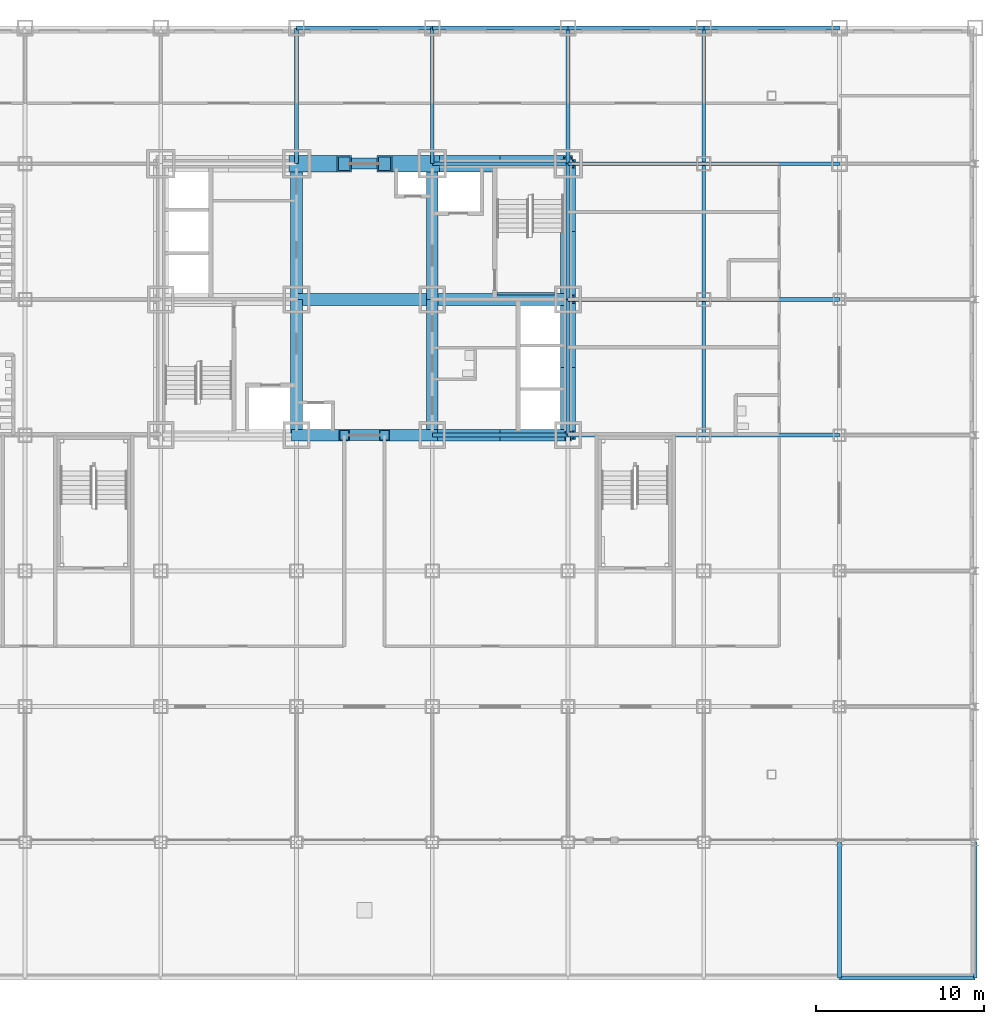
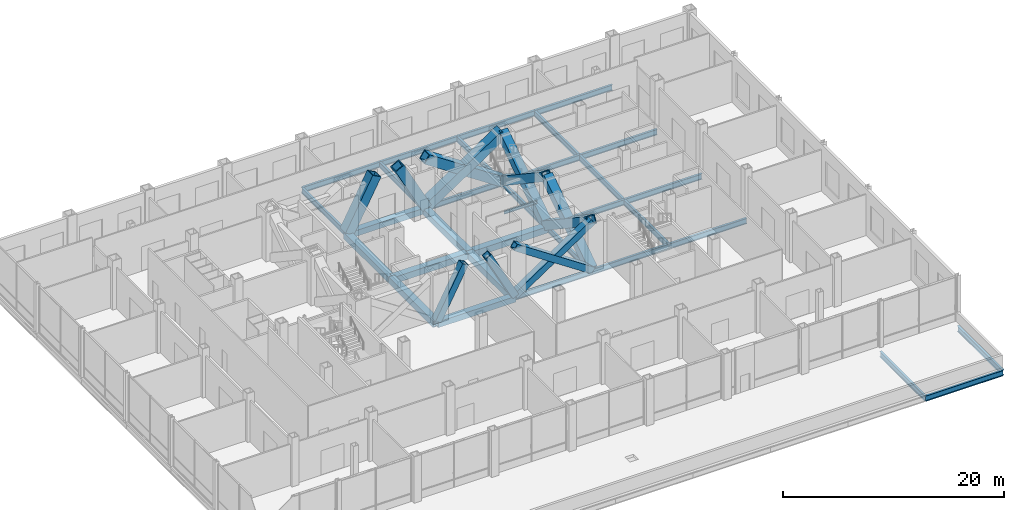
# One storey, part 16 of 29: 32 beams, 12 members.
"""IFC4 building model written with IfcOpenShell, lengths in metres."""

from ifc_helpers import new_model, si_unit, direction, frame, origin, origin_2d, place, context, subcontext, project, spatial, hollow_rectangle, i_section, extrude, material, material_profile, profile_set, type_object, element, save


model = new_model("IFC4")

# Units and contexts
model_context = context("Model", 3, precision=1e-05, world=origin(), true_north=direction((0.0, 1.0)))
body_context = subcontext(model_context, "Body", "Model", "MODEL_VIEW")
ifc_project = project(units=[si_unit("LENGTHUNIT", "METRE"), si_unit("AREAUNIT", "SQUARE_METRE"), si_unit("VOLUMEUNIT", "CUBIC_METRE"), si_unit("PLANEANGLEUNIT", "RADIAN"), si_unit("MASSUNIT", "GRAM", prefix="KILO")], contexts=[model_context])

# Site, building, storey
site_placement = place(None, origin())
site = spatial("IfcSite", under=ifc_project, at=site_placement, CompositionType="ELEMENT")
building_placement = place(site_placement, origin())
building = spatial("IfcBuilding", under=site, at=building_placement, Name="Kopane Lantern Tower", CompositionType="ELEMENT")
storey_placement = place(building_placement, frame((0.0, 0.0, 11.39990234375)))
storey = spatial("IfcBuildingStorey", under=building, at=storey_placement, Name="L02", CompositionType="ELEMENT", Elevation=11.39990234375)

# Members
ifc_material_1 = material(Name="Steel S355JR", Category="steel")
ifc_material_profile_1 = material_profile(ifc_material_1, hollow_rectangle(XDim=1.0, YDim=1.0, WallThickness=0.10009765625, at=origin_2d()), Name="BOX 1000x1000x100")
ifc_profile_set_1 = profile_set([ifc_material_profile_1], Name="Steel S355JR")
member_type_1 = type_object("IfcMemberType", Name="BRACE BOX 1000x1000x100", PredefinedType="BRACE", material=ifc_profile_set_1)
for number, where, z_axis, x_axis, name in (
    (1, (24.300048828125, 40.5, -0.25), (0.466729952651, 0.0, 0.884399882009), (0.0, 1.0, 0.0), "Core brace L02"),
    (2, (32.39990234375, 40.5, -0.25), (-0.466729952651, 0.0, 0.884399882009), (0.0, -1.0, 0.0), "Core brace L02"),
):
    element("IfcMember", number, at=place(storey_placement, frame(where, z_axis=z_axis, x_axis=x_axis)), inside=storey, type_object=member_type_1, Name=name, PredefinedType="BRACE", context=body_context, shape_type="SweptSolid", body=[
        extrude(hollow_rectangle(XDim=1.0, YDim=1.0, WallThickness=0.10009765625, at=origin_2d()), origin(), (0.0, 0.0, 1.0), 6.10595703125),
    ])
for number, where, z_axis, x_axis, name in (
    (3, (32.39990234375, 40.5, -0.25), (0.832046436124, 0.0, 0.554705983502), (0.0, 1.0, 0.0), "Core brace L02"),
    (4, (40.5, 40.5, -0.25), (-0.832046436124, 0.0, 0.554705983502), (0.0, -1.0, 0.0), "Core brace L02"),
):
    element("IfcMember", number, at=place(storey_placement, frame(where, z_axis=z_axis, x_axis=x_axis)), inside=storey, type_object=member_type_1, Name=name, PredefinedType="BRACE", context=body_context, shape_type="SweptSolid", body=[
        extrude(hollow_rectangle(XDim=1.0, YDim=1.0, WallThickness=0.10009765625, at=origin_2d()), origin(), (0.0, 0.0, 1.0), 9.735107421875),
    ])
ifc_material_2 = material(Name="Steel S355JR", Category="steel")
ifc_material_profile_2 = material_profile(ifc_material_2, hollow_rectangle(XDim=0.699951171875, YDim=0.699951171875, WallThickness=0.06005859375, at=origin_2d()), Name="BOX 700x700x60")
ifc_profile_set_2 = profile_set([ifc_material_profile_2], Name="Steel S355JR")
member_type_2 = type_object("IfcMemberType", Name="BRACE BOX 700x700x60", PredefinedType="BRACE", material=ifc_profile_set_2)
for number, where, z_axis, x_axis, name in (
    (5, (24.300048828125, 24.300048828125, -0.25), (0.466729952651, 0.0, 0.884399882009), (0.0, 1.0, 0.0), "Core brace L02"),
    (6, (32.39990234375, 24.300048828125, -0.25), (-0.466729952651, 0.0, 0.884399882009), (0.0, -1.0, 0.0), "Core brace L02"),
):
    element("IfcMember", number, at=place(storey_placement, frame(where, z_axis=z_axis, x_axis=x_axis)), inside=storey, type_object=member_type_2, Name=name, PredefinedType="BRACE", context=body_context, shape_type="SweptSolid", body=[
        extrude(hollow_rectangle(XDim=0.699951171875, YDim=0.699951171875, WallThickness=0.06005859375, at=origin_2d()), origin(), (0.0, 0.0, 1.0), 6.10595703125),
    ])
for number, where, z_axis, x_axis, name in (
    (7, (32.39990234375, 24.300048828125, -0.25), (0.832046436124, 0.0, 0.554705983502), (0.0, 1.0, 0.0), "Core brace L02"),
    (8, (40.5, 24.300048828125, -0.25), (-0.832046436124, 0.0, 0.554705983502), (0.0, -1.0, 0.0), "Core brace L02"),
):
    element("IfcMember", number, at=place(storey_placement, frame(where, z_axis=z_axis, x_axis=x_axis)), inside=storey, type_object=member_type_2, Name=name, PredefinedType="BRACE", context=body_context, shape_type="SweptSolid", body=[
        extrude(hollow_rectangle(XDim=0.699951171875, YDim=0.699951171875, WallThickness=0.06005859375, at=origin_2d()), origin(), (0.0, 0.0, 1.0), 9.735107421875),
    ])
ifc_material_3 = material(Name="Steel S355JR", Category="steel")
ifc_material_profile_3 = material_profile(ifc_material_3, hollow_rectangle(XDim=0.89990234375, YDim=0.89990234375, WallThickness=0.090087890625, at=origin_2d()), Name="BOX 900x900x90")
ifc_profile_set_3 = profile_set([ifc_material_profile_3], Name="Steel S355JR")
member_type_3 = type_object("IfcMemberType", Name="BRACE BOX 900x900x90", PredefinedType="BRACE", material=ifc_profile_set_3)
for number, where, z_axis, x_axis, name in (
    (9, (40.5, 24.300048828125, -0.25), (0.0, 0.832038719335, 0.554717558338), (-1.0, 0.0, 0.0), "Core brace L02"),
    (10, (40.5, 32.39990234375, -0.25), (0.0, -0.832038719335, 0.554717558338), (1.0, 0.0, 0.0), "Core brace L02"),
):
    element("IfcMember", number, at=place(storey_placement, frame(where, z_axis=z_axis, x_axis=x_axis)), inside=storey, type_object=member_type_3, Name=name, PredefinedType="BRACE", context=body_context, shape_type="SweptSolid", body=[
        extrude(hollow_rectangle(XDim=0.89990234375, YDim=0.89990234375, WallThickness=0.090087890625, at=origin_2d()), origin(), (0.0, 0.0, 1.0), 9.73486328125),
    ])
for number, where, z_axis, x_axis, name in (
    (11, (40.5, 32.39990234375, -0.25), (0.0, 0.832046436124, 0.554705983502), (-1.0, 0.0, 0.0), "Core brace L02"),
    (12, (40.5, 40.5, -0.25), (0.0, -0.832046436124, 0.554705983502), (1.0, 0.0, 0.0), "Core brace L02"),
):
    element("IfcMember", number, at=place(storey_placement, frame(where, z_axis=z_axis, x_axis=x_axis)), inside=storey, type_object=member_type_3, Name=name, PredefinedType="BRACE", context=body_context, shape_type="SweptSolid", body=[
        extrude(hollow_rectangle(XDim=0.89990234375, YDim=0.89990234375, WallThickness=0.090087890625, at=origin_2d()), origin(), (0.0, 0.0, 1.0), 9.735107421875),
    ])

# Beams
ifc_material_4 = material(Name="Steel S355JR", Category="steel")
ifc_material_profile_4 = material_profile(ifc_material_4, hollow_rectangle(XDim=0.699951171875, YDim=0.699951171875, WallThickness=0.06005859375, at=origin_2d()), Name="BOX 700x700x60")
ifc_profile_set_4 = profile_set([ifc_material_profile_4], Name="Steel S355JR")
beam_type_1 = type_object("IfcBeamType", Name="CORE BEAM BOX 700x700x60", PredefinedType="BEAM", material=ifc_profile_set_4)
beam_1_placement = place(storey_placement, frame((24.300048828125, 24.300048828125, -0.599853515625), z_axis=(0.0, 1.0, 0.0), x_axis=(-1.0, 0.0, 0.0)))
element("IfcBeam", 13, at=beam_1_placement, inside=storey, type_object=beam_type_1, Name="Core Beam L02", PredefinedType="BEAM", context=body_context, shape_type="SweptSolid", body=[
    extrude(hollow_rectangle(XDim=0.699951171875, YDim=0.699951171875, WallThickness=0.06005859375, at=origin_2d()), origin(), (0.0, 0.0, 1.0), 8.099853515625),
])
beam_2_placement = place(storey_placement, frame((24.300048828125, 32.39990234375, -0.599853515625), z_axis=(0.0, 1.0, 0.0), x_axis=(-1.0, 0.0, 0.0)))
element("IfcBeam", 14, at=beam_2_placement, inside=storey, type_object=beam_type_1, Name="Core Beam L02", PredefinedType="BEAM", context=body_context, shape_type="SweptSolid", body=[
    extrude(hollow_rectangle(XDim=0.699951171875, YDim=0.699951171875, WallThickness=0.06005859375, at=origin_2d()), origin(), (0.0, 0.0, 1.0), 8.10009765625),
])
for number, where, z_axis, x_axis, name in (
    (15, (24.300048828125, 32.39990234375, -0.599853515625), (1.0, 0.0, 0.0), (0.0, 1.0, 0.0), "Core Beam L02"),
    (16, (32.39990234375, 24.300048828125, -0.599853515625), (0.0, 1.0, 0.0), (-1.0, 0.0, 0.0), "Core Beam L02"),
):
    element("IfcBeam", number, at=place(storey_placement, frame(where, z_axis=z_axis, x_axis=x_axis)), inside=storey, type_object=beam_type_1, Name=name, PredefinedType="BEAM", context=body_context, shape_type="SweptSolid", body=[
        extrude(hollow_rectangle(XDim=0.699951171875, YDim=0.699951171875, WallThickness=0.06005859375, at=origin_2d()), origin(), (0.0, 0.0, 1.0), 8.099853515625),
    ])
for number, where, z_axis, x_axis, name in (
    (17, (32.39990234375, 32.39990234375, -0.599853515625), (0.0, 1.0, 0.0), (-1.0, 0.0, 0.0), "Core Beam L02"),
    (18, (32.39990234375, 32.39990234375, -0.599853515625), (1.0, 0.0, 0.0), (0.0, 1.0, 0.0), "Core Beam L02"),
):
    element("IfcBeam", number, at=place(storey_placement, frame(where, z_axis=z_axis, x_axis=x_axis)), inside=storey, type_object=beam_type_1, Name=name, PredefinedType="BEAM", context=body_context, shape_type="SweptSolid", body=[
        extrude(hollow_rectangle(XDim=0.699951171875, YDim=0.699951171875, WallThickness=0.06005859375, at=origin_2d()), origin(), (0.0, 0.0, 1.0), 8.10009765625),
    ])
ifc_material_5 = material(Name="Steel S355JR", Category="steel")
ifc_material_profile_5 = material_profile(ifc_material_5, i_section(OverallWidth=0.22900390625, OverallDepth=0.6123046875, WebThickness=0.011962890625, FlangeThickness=0.01953125, FilletRadius=0.0126953125, at=origin_2d()), Name="UB 610x229x125")
ifc_profile_set_5 = profile_set([ifc_material_profile_5], Name="Steel S355JR")
beam_type_2 = type_object("IfcBeamType", Name="GIRDER UB 610x229x125", PredefinedType="BEAM", material=ifc_profile_set_5)
beam_3_placement = place(storey_placement, frame((24.300048828125, 40.5, -0.555908203125), z_axis=(0.0, 1.0, 0.0), x_axis=(-1.0, 0.0, 0.0)))
element("IfcBeam", 19, at=beam_3_placement, inside=storey, type_object=beam_type_2, Name="Girder L02", PredefinedType="BEAM", context=body_context, shape_type="SweptSolid", body=[
    extrude(i_section(OverallWidth=0.22900390625, OverallDepth=0.6123046875, WebThickness=0.011962890625, FlangeThickness=0.01953125, FilletRadius=0.0126953125, at=origin_2d()), origin(), (0.0, 0.0, 1.0), 8.10009765625),
])
beam_4_placement = place(storey_placement, frame((24.300048828125, 48.60009765625, -0.555908203125), z_axis=(1.0, 0.0, 0.0), x_axis=(0.0, 1.0, 0.0)))
element("IfcBeam", 20, at=beam_4_placement, inside=storey, type_object=beam_type_2, Name="Girder L02", PredefinedType="BEAM", context=body_context, shape_type="SweptSolid", body=[
    extrude(i_section(OverallWidth=0.22900390625, OverallDepth=0.6123046875, WebThickness=0.011962890625, FlangeThickness=0.01953125, FilletRadius=0.0126953125, at=origin_2d()), origin(), (0.0, 0.0, 1.0), 8.099853515625),
])
for number, where, z_axis, x_axis, name in (
    (21, (32.39990234375, 24.300048828125, -0.555908203125), (1.0, 0.0, 0.0), (0.0, 1.0, 0.0), "Girder L02"),
    (22, (32.39990234375, 40.5, -0.555908203125), (0.0, 1.0, 0.0), (-1.0, 0.0, 0.0), "Girder L02"),
    (23, (32.39990234375, 40.5, -0.555908203125), (1.0, 0.0, 0.0), (0.0, 1.0, 0.0), "Girder L02"),
    (24, (32.39990234375, 48.60009765625, -0.555908203125), (1.0, 0.0, 0.0), (0.0, 1.0, 0.0), "Girder L02"),
):
    element("IfcBeam", number, at=place(storey_placement, frame(where, z_axis=z_axis, x_axis=x_axis)), inside=storey, type_object=beam_type_2, Name=name, PredefinedType="BEAM", context=body_context, shape_type="SweptSolid", body=[
        extrude(i_section(OverallWidth=0.22900390625, OverallDepth=0.6123046875, WebThickness=0.011962890625, FlangeThickness=0.01953125, FilletRadius=0.0126953125, at=origin_2d()), origin(), (0.0, 0.0, 1.0), 8.10009765625),
    ])
beam_5_placement = place(storey_placement, frame((40.5, 24.300048828125, -0.555908203125), z_axis=(0.0, 1.0, 0.0), x_axis=(-1.0, 0.0, 0.0)))
element("IfcBeam", 25, at=beam_5_placement, inside=storey, type_object=beam_type_2, Name="Girder L02", PredefinedType="BEAM", context=body_context, shape_type="SweptSolid", body=[
    extrude(i_section(OverallWidth=0.22900390625, OverallDepth=0.6123046875, WebThickness=0.011962890625, FlangeThickness=0.01953125, FilletRadius=0.0126953125, at=origin_2d()), origin(), (0.0, 0.0, 1.0), 8.099853515625),
])
for number, where, z_axis, x_axis, name in (
    (26, (40.5, 24.300048828125, -0.555908203125), (1.0, 0.0, 0.0), (0.0, 1.0, 0.0), "Girder L02"),
    (27, (40.5, 32.39990234375, -0.555908203125), (0.0, 1.0, 0.0), (-1.0, 0.0, 0.0), "Girder L02"),
    (28, (40.5, 32.39990234375, -0.555908203125), (1.0, 0.0, 0.0), (0.0, 1.0, 0.0), "Girder L02"),
    (29, (40.5, 40.5, -0.555908203125), (0.0, 1.0, 0.0), (-1.0, 0.0, 0.0), "Girder L02"),
    (30, (40.5, 40.5, -0.555908203125), (1.0, 0.0, 0.0), (0.0, 1.0, 0.0), "Girder L02"),
    (31, (40.5, 48.60009765625, -0.555908203125), (1.0, 0.0, 0.0), (0.0, 1.0, 0.0), "Girder L02"),
):
    element("IfcBeam", number, at=place(storey_placement, frame(where, z_axis=z_axis, x_axis=x_axis)), inside=storey, type_object=beam_type_2, Name=name, PredefinedType="BEAM", context=body_context, shape_type="SweptSolid", body=[
        extrude(i_section(OverallWidth=0.22900390625, OverallDepth=0.6123046875, WebThickness=0.011962890625, FlangeThickness=0.01953125, FilletRadius=0.0126953125, at=origin_2d()), origin(), (0.0, 0.0, 1.0), 8.10009765625),
    ])
for number, where, z_axis, x_axis, name in (
    (32, (48.60009765625, 24.300048828125, -0.555908203125), (0.0, 1.0, 0.0), (-1.0, 0.0, 0.0), "Girder L02"),
    (33, (48.60009765625, 24.300048828125, -0.555908203125), (1.0, 0.0, 0.0), (0.0, 1.0, 0.0), "Girder L02"),
):
    element("IfcBeam", number, at=place(storey_placement, frame(where, z_axis=z_axis, x_axis=x_axis)), inside=storey, type_object=beam_type_2, Name=name, PredefinedType="BEAM", context=body_context, shape_type="SweptSolid", body=[
        extrude(i_section(OverallWidth=0.22900390625, OverallDepth=0.6123046875, WebThickness=0.011962890625, FlangeThickness=0.01953125, FilletRadius=0.0126953125, at=origin_2d()), origin(), (0.0, 0.0, 1.0), 8.099853515625),
    ])
beam_6_placement = place(storey_placement, frame((48.60009765625, 32.39990234375, -0.555908203125), z_axis=(0.0, 1.0, 0.0), x_axis=(-1.0, 0.0, 0.0)))
element("IfcBeam", 34, at=beam_6_placement, inside=storey, type_object=beam_type_2, Name="Girder L02", PredefinedType="BEAM", context=body_context, shape_type="SweptSolid", body=[
    extrude(i_section(OverallWidth=0.22900390625, OverallDepth=0.6123046875, WebThickness=0.011962890625, FlangeThickness=0.01953125, FilletRadius=0.0126953125, at=origin_2d()), origin(), (0.0, 0.0, 1.0), 8.10009765625),
])
beam_7_placement = place(storey_placement, frame((48.60009765625, 32.39990234375, -0.555908203125), z_axis=(1.0, 0.0, 0.0), x_axis=(0.0, 1.0, 0.0)))
element("IfcBeam", 35, at=beam_7_placement, inside=storey, type_object=beam_type_2, Name="Girder L02", PredefinedType="BEAM", context=body_context, shape_type="SweptSolid", body=[
    extrude(i_section(OverallWidth=0.22900390625, OverallDepth=0.6123046875, WebThickness=0.011962890625, FlangeThickness=0.01953125, FilletRadius=0.0126953125, at=origin_2d()), origin(), (0.0, 0.0, 1.0), 8.099853515625),
])
beam_8_placement = place(storey_placement, frame((48.60009765625, 40.5, -0.555908203125), z_axis=(0.0, 1.0, 0.0), x_axis=(-1.0, 0.0, 0.0)))
element("IfcBeam", 36, at=beam_8_placement, inside=storey, type_object=beam_type_2, Name="Girder L02", PredefinedType="BEAM", context=body_context, shape_type="SweptSolid", body=[
    extrude(i_section(OverallWidth=0.22900390625, OverallDepth=0.6123046875, WebThickness=0.011962890625, FlangeThickness=0.01953125, FilletRadius=0.0126953125, at=origin_2d()), origin(), (0.0, 0.0, 1.0), 8.10009765625),
])
for number, where, z_axis, x_axis, name in (
    (37, (48.60009765625, 40.5, -0.555908203125), (1.0, 0.0, 0.0), (0.0, 1.0, 0.0), "Girder L02"),
    (38, (48.60009765625, 48.60009765625, -0.555908203125), (1.0, 0.0, 0.0), (0.0, 1.0, 0.0), "Girder L02"),
):
    element("IfcBeam", number, at=place(storey_placement, frame(where, z_axis=z_axis, x_axis=x_axis)), inside=storey, type_object=beam_type_2, Name=name, PredefinedType="BEAM", context=body_context, shape_type="SweptSolid", body=[
        extrude(i_section(OverallWidth=0.22900390625, OverallDepth=0.6123046875, WebThickness=0.011962890625, FlangeThickness=0.01953125, FilletRadius=0.0126953125, at=origin_2d()), origin(), (0.0, 0.0, 1.0), 8.099853515625),
    ])
for number, where, z_axis, x_axis, name in (
    (39, (56.699951171875, -8.10009765625, -0.555908203125), (0.0, 1.0, 0.0), (-1.0, 0.0, 0.0), "Girder L02"),
    (40, (56.699951171875, -8.10009765625, -0.555908203125), (1.0, 0.0, 0.0), (0.0, 1.0, 0.0), "Girder L02"),
    (41, (64.800048828125, -8.10009765625, -0.555908203125), (0.0, 1.0, 0.0), (-1.0, 0.0, 0.0), "Girder L02"),
):
    element("IfcBeam", number, at=place(storey_placement, frame(where, z_axis=z_axis, x_axis=x_axis)), inside=storey, type_object=beam_type_2, Name=name, PredefinedType="BEAM", context=body_context, shape_type="SweptSolid", body=[
        extrude(i_section(OverallWidth=0.22900390625, OverallDepth=0.6123046875, WebThickness=0.011962890625, FlangeThickness=0.01953125, FilletRadius=0.0126953125, at=origin_2d()), origin(), (0.0, 0.0, 1.0), 8.10009765625),
    ])
ifc_material_6 = material(Name="Steel S355JR", Category="steel")
ifc_material_profile_6 = material_profile(ifc_material_6, hollow_rectangle(XDim=0.64990234375, YDim=0.64990234375, WallThickness=0.070068359375, at=origin_2d()), Name="BOX 650x650x70")
ifc_profile_set_6 = profile_set([ifc_material_profile_6], Name="Steel S355JR")
beam_type_3 = type_object("IfcBeamType", Name="LINK BEAM BOX 650x650x70", PredefinedType="BEAM", material=ifc_profile_set_6)
for number, where, z_axis, x_axis, name in (
    (42, (24.300048828125, 24.300048828125, -0.574951171875), (1.0, 0.0, 0.0), (0.0, 1.0, 0.0), "Link Beam L02"),
    (43, (24.300048828125, 40.5, -0.574951171875), (1.0, 0.0, 0.0), (0.0, 1.0, 0.0), "Link Beam L02"),
):
    element("IfcBeam", number, at=place(storey_placement, frame(where, z_axis=z_axis, x_axis=x_axis)), inside=storey, type_object=beam_type_3, Name=name, PredefinedType="BEAM", context=body_context, shape_type="SweptSolid", body=[
        extrude(hollow_rectangle(XDim=0.64990234375, YDim=0.64990234375, WallThickness=0.070068359375, at=origin_2d()), origin(), (0.0, 0.0, 1.0), 8.099853515625),
    ])
ifc_material_7 = material(Name="Steel S355JR", Category="steel")
ifc_material_profile_7 = material_profile(ifc_material_7, i_section(OverallWidth=0.1650390625, OverallDepth=0.303466796875, WebThickness=0.006103515625, FlangeThickness=0.01025390625, FilletRadius=0.0087890625, at=origin_2d()), Name="UB 305x165x40")
ifc_profile_set_7 = profile_set([ifc_material_profile_7], Name="Steel S355JR")
beam_type_4 = type_object("IfcBeamType", Name="STAIR LANDING BEAM UB 305x165x40", PredefinedType="BEAM", material=ifc_profile_set_7)
beam_9_placement = place(storey_placement, frame((39.699951171875, 32.732421875, 2.348388671875), z_axis=(-1.0, 0.0, 0.0), x_axis=(0.0, -1.0, 0.0)))
element("IfcBeam", 44, at=beam_9_placement, inside=storey, type_object=beam_type_4, Name="Stair landing beam ST2 L02", PredefinedType="BEAM", context=body_context, shape_type="SweptSolid", body=[
    extrude(i_section(OverallWidth=0.1650390625, OverallDepth=0.303466796875, WebThickness=0.006103515625, FlangeThickness=0.01025390625, FilletRadius=0.0087890625, at=origin_2d()), origin(), (0.0, 0.0, 1.0), 3.449951171875),
])

save(model, "model.ifc")
